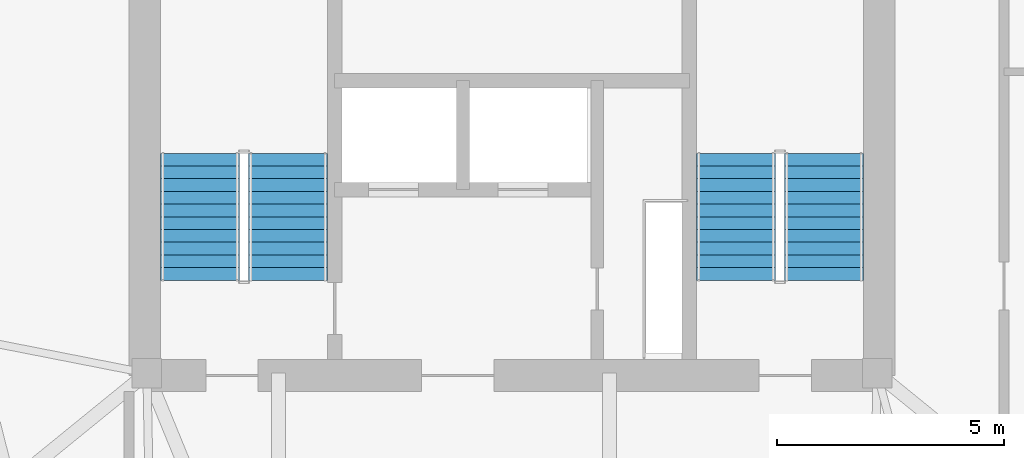
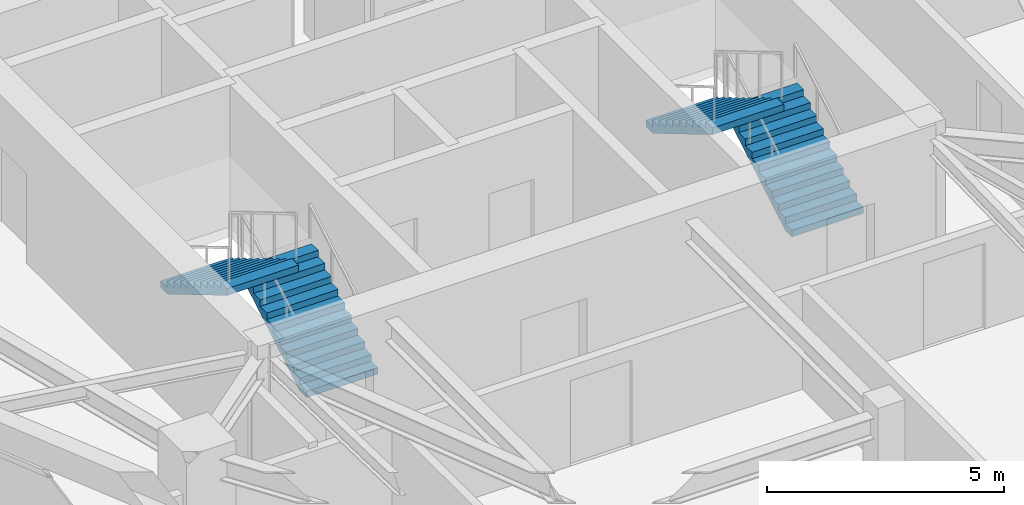
# One storey, part 10 of 11: 4 stair flights, 2 elements without a shape of their own.
"""IFC4 building model written with IfcOpenShell, lengths in metres."""

import ifcopenshell
import ifcopenshell.guid

model = None  # the IFC model being written
_history = None  # IfcOwnerHistory: only IFC2X3 demands one
_inside = {}  # id of a spatial element -> (the spatial element, [elements in it])
_under = {}  # id of a project, library or spatial element -> (it, [spatial elements below it])
_declared = {}  # id of a project -> (the project, [libraries it declares])
_typed = {}  # id of a type object -> (the type object, [elements of that type])
_made_of = {}  # id of a material, layer set ... -> (it, [elements and type objects made of it])


def new_model(schema):
    """Start an empty IFC model of exactly this schema.

    Asked for "IFC4X3", IfcOpenShell would pick the latest addendum, in which some entities
    have other attributes; the version numbers below select the first issue.
    IFC2X3 requires an IfcOwnerHistory on every rooted entity: one is made here for all.
    """
    global model, _history
    if schema == "IFC4X3":
        model = ifcopenshell.file(schema_version=(4, 3, 0, 0))
    else:
        model = ifcopenshell.file(schema=schema)
    _inside.clear()
    _under.clear()
    _declared.clear()
    _typed.clear()
    _made_of.clear()
    _history = None
    if model.schema == "IFC2X3":
        org = make("IfcOrganization", Name="unknown")
        user = make(
            "IfcPersonAndOrganization",
            ThePerson=make("IfcPerson", FamilyName="unknown"),
            TheOrganization=org,
        )
        app = make(
            "IfcApplication",
            ApplicationDeveloper=org,
            Version="unknown",
            ApplicationFullName="unknown",
            ApplicationIdentifier="unknown",
        )
        _history = make(
            "IfcOwnerHistory",
            OwningUser=user,
            OwningApplication=app,
            ChangeAction="ADDED",
            CreationDate=0,
        )
    return model


def make(cls, **values):
    """One entity of the class cls with the attributes given. An attribute that is None is left unset."""
    return model.create_entity(
        cls, **{name: value for name, value in values.items() if value is not None}
    )


def rooted(cls, **values):
    """An entity with a GlobalId (a new one), such as an element, a storey or a relation."""
    return make(cls, GlobalId=ifcopenshell.guid.new(), OwnerHistory=_history, **values)


def si_unit(unit_type, name, prefix=None):
    """IfcSIUnit, for example si_unit("LENGTHUNIT", "METRE", prefix="MILLI")."""
    return make("IfcSIUnit", UnitType=unit_type, Prefix=prefix, Name=name)


def assignment(units):
    """IfcUnitAssignment: the units of a project."""
    return None if units is None else make("IfcUnitAssignment", Units=units)


def point(xyz):
    """IfcCartesianPoint."""
    return None if xyz is None else make("IfcCartesianPoint", Coordinates=xyz)


def direction(xyz):
    """IfcDirection."""
    return None if xyz is None else make("IfcDirection", DirectionRatios=xyz)


def frame(location, z_axis=None, x_axis=None):
    """IfcAxis2Placement3D, a coordinate frame: its origin and axes. An axis left out is left unset."""
    return make(
        "IfcAxis2Placement3D",
        Location=point(location),
        Axis=direction(z_axis),
        RefDirection=direction(x_axis),
    )


def origin():
    """The frame at (0, 0, 0) with its axes left unset."""
    return frame((0.0, 0.0, 0.0))


def place(relative_to, where):
    """IfcLocalPlacement: puts the frame where relative to a parent placement (None: the world)."""
    return make(
        "IfcLocalPlacement", PlacementRelTo=relative_to, RelativePlacement=where
    )


def context(
    kind, dimensions, precision=None, world=None, true_north=None, identifier=None
):
    """IfcGeometricRepresentationContext, for example the 3D "Model" context."""
    return make(
        "IfcGeometricRepresentationContext",
        ContextIdentifier=identifier,
        ContextType=kind,
        CoordinateSpaceDimension=dimensions,
        Precision=precision,
        WorldCoordinateSystem=world,
        TrueNorth=true_north,
    )


def subcontext(parent, identifier, kind, view, scale=None):
    """IfcGeometricRepresentationSubContext, for example "Body" below "Model"."""
    return make(
        "IfcGeometricRepresentationSubContext",
        ContextIdentifier=identifier,
        ContextType=kind,
        ParentContext=parent,
        TargetScale=scale,
        TargetView=view,
    )


def project(units=None, contexts=None):
    """IfcProject with its units and contexts."""
    return rooted(
        "IfcProject",
        Name="project",
        RepresentationContexts=contexts,
        UnitsInContext=assignment(units),
    )


def spatial(cls, under=None, at=None, **own):
    """A site, building, storey or space (cls), placed at a placement, below another one or the project."""
    s = rooted(cls, ObjectPlacement=at, **own)
    if under is not None:
        _under.setdefault(under.id(), (under, []))[1].append(s)
    return s


def polyline(points):
    """IfcPolyline through the points."""
    return make("IfcPolyline", Points=[point(p) for p in points])


def outline(outer, holes=None, kind="AREA"):
    """IfcArbitraryClosedProfileDef: a profile drawn as a closed curve; with holes, ...WithVoids."""
    if holes is None:
        return make("IfcArbitraryClosedProfileDef", ProfileType=kind, OuterCurve=outer)
    return make(
        "IfcArbitraryProfileDefWithVoids",
        ProfileType=kind,
        OuterCurve=outer,
        InnerCurves=holes,
    )


def extrude(swept, where, along, depth):
    """IfcExtrudedAreaSolid: the profile swept, set in the frame where, extruded along a direction by depth."""
    return make(
        "IfcExtrudedAreaSolid",
        SweptArea=swept,
        Position=where,
        ExtrudedDirection=direction(along),
        Depth=depth,
    )


def shape(context_of_items, identifier, shape_type, items):
    """IfcShapeRepresentation: the items that make up one representation, for example the "Body"."""
    return make(
        "IfcShapeRepresentation",
        ContextOfItems=context_of_items,
        RepresentationIdentifier=identifier,
        RepresentationType=shape_type,
        Items=items,
    )


def material(Name=None, Category=None):
    """IfcMaterial."""
    return make("IfcMaterial", Name=Name, Category=Category)


def made_of(thing, what):
    """Note that an element or type object is made of a material, layer set ...; save() writes the relation."""
    if what is not None:
        _made_of.setdefault(what.id(), (what, []))[1].append(thing)
    return thing


def type_object(cls, material=None, **own):
    """A type object (cls), such as IfcWallType, which elements share."""
    return made_of(rooted(cls, **own), material)


def element(
    cls,
    number,
    at=None,
    inside=None,
    cuts=None,
    type_object=None,
    material=None,
    context=None,
    identifier="Body",
    shape_type=None,
    held_by="IfcProductDefinitionShape",
    body=None,
    shapes=None,
    **own,
):
    """One element of the class cls, such as IfcWall. Its Tag is "e" and its number.

    at: its placement. inside: the storey or other place that contains it. cuts: it is an
    opening in that element (IfcRelVoidsElement). A single representation is given by context,
    identifier, shape_type and body (its items); several are given by shapes. held_by: the class
    of the entity that holds the representations. save() writes the other relations.
    """
    e = rooted(cls, Tag="e%d" % number, ObjectPlacement=at, **own)
    if body is not None:
        shapes = [shape(context, identifier, shape_type, body)]
    if shapes is not None:
        e.Representation = make(held_by, Representations=shapes)
    if inside is not None:
        _inside.setdefault(inside.id(), (inside, []))[1].append(e)
    if cuts is not None:
        rooted(
            "IfcRelVoidsElement", RelatingBuildingElement=cuts, RelatedOpeningElement=e
        )
    if type_object is not None:
        _typed.setdefault(type_object.id(), (type_object, []))[1].append(e)
    return made_of(e, material)


def aggregate(whole, parts):
    """IfcRelAggregates: a whole, such as a stair, and the parts it consists of."""
    return rooted("IfcRelAggregates", RelatingObject=whole, RelatedObjects=parts)


def save(model, path):
    """Write the relations noted so far, then the file.

    IfcRelAggregates (storeys below a building ...), IfcRelContainedInSpatialStructure (elements
    in a storey), IfcRelDefinesByType, IfcRelAssociatesMaterial and IfcRelDeclares: one each for
    every whole, place, type object, material and project.
    """
    for whole, parts in _under.values():
        aggregate(whole, parts)
    for where, things in _inside.values():
        rooted(
            "IfcRelContainedInSpatialStructure",
            RelatedElements=things,
            RelatingStructure=where,
        )
    for kind, things in _typed.values():
        rooted("IfcRelDefinesByType", RelatedObjects=things, RelatingType=kind)
    for what, things in _made_of.values():
        rooted("IfcRelAssociatesMaterial", RelatedObjects=things, RelatingMaterial=what)
    for by, libraries in _declared.values():
        rooted("IfcRelDeclares", RelatingContext=by, RelatedDefinitions=libraries)
    model.write(path)


model = new_model("IFC4")

# Units and contexts
model_context = context("Model", 3, precision=1e-05, world=origin(), true_north=direction((0.0, 1.0)))
body_context = subcontext(model_context, "Body", "Model", "MODEL_VIEW")
ifc_project = project(units=[si_unit("LENGTHUNIT", "METRE"), si_unit("AREAUNIT", "SQUARE_METRE"), si_unit("VOLUMEUNIT", "CUBIC_METRE"), si_unit("PLANEANGLEUNIT", "RADIAN"), si_unit("MASSUNIT", "GRAM", prefix="KILO")], contexts=[model_context])

# Site, building, storey
site_placement = place(None, origin())
site = spatial("IfcSite", under=ifc_project, at=site_placement, CompositionType="ELEMENT")
building_placement = place(site_placement, origin())
building = spatial("IfcBuilding", under=site, at=building_placement, Name="Talyreon Biosciences Tower", CompositionType="ELEMENT")
storey_placement = place(building_placement, frame((0.0, 0.0, 271.75)))
storey = spatial("IfcBuildingStorey", under=building, at=storey_placement, Name="L72", CompositionType="ELEMENT", Elevation=271.75)

# Stair, stair flights
ifc_material = material(Name="Concrete C40/50", Category="concrete")
stair_type = type_object("IfcStairType", Name="DoglegEscapeStair_3650", PredefinedType="HALF_TURN_STAIR", material=ifc_material)
stair_1_placement = place(storey_placement, origin())
stair_1 = element("IfcStair", 1, at=stair_1_placement, inside=storey, type_object=stair_type, Name="L72 Core Escape Stair 1", PredefinedType="HALF_TURN_STAIR")
stair_flight_type = type_object("IfcStairFlightType", Name="PrecastStairFlight_3650", PredefinedType="STRAIGHT", material=ifc_material)
stair_flight_1_placement = place(storey_placement, frame((61.06005859375, 63.39990234375, 0.0), z_axis=(0.0, 0.0, 1.0), x_axis=(0.0, 1.0, 0.0)))
stair_flight_1 = element("IfcStairFlight", 2, at=stair_flight_1_placement, type_object=stair_flight_type, Name="ST-1 flight 1", NumberOfRisers=11, NumberOfTreads=10, PredefinedType="STRAIGHT", RiserHeight=0.165909091, TreadLength=0.28, context=body_context, shape_type="SweptSolid", body=[
    extrude(outline(polyline([(0.0, 0.0), (0.0, 0.166015625), (0.280029296875, 0.166015625), (0.280029296875, 0.331787109375), (0.56005859375, 0.331787109375), (0.56005859375, 0.497802734375), (0.840087890625, 0.497802734375), (0.840087890625, 0.66357421875), (1.1201171875, 0.66357421875), (1.1201171875, 0.82958984375), (1.39990234375, 0.82958984375), (1.39990234375, 0.995361328125), (1.679931640625, 0.995361328125), (1.679931640625, 1.161376953125), (1.9599609375, 1.161376953125), (1.9599609375, 1.327392578125), (2.239990234375, 1.327392578125), (2.239990234375, 1.4931640625), (2.52001953125, 1.4931640625), (2.52001953125, 1.6591796875), (2.800048828125, 1.6591796875), (2.800048828125, 1.824951171875), (2.800048828125, 1.48486328125), (0.2939453125, 0.0), (0.0, 0.0)])), frame((0.0, 0.8701171875, 0.0), z_axis=(0.0, -1.0, 0.0), x_axis=(1.0, 0.0, 0.0)), (0.0, 0.0, 1.0), 1.739990234375),
])
stair_flight_2_placement = place(storey_placement, frame((59.1201171875, 66.199951171875, 1.824951171875), z_axis=(0.0, 0.0, 1.0), x_axis=(0.0, -1.0, 0.0)))
stair_flight_2 = element("IfcStairFlight", 3, at=stair_flight_2_placement, type_object=stair_flight_type, Name="ST-1 flight 2", NumberOfRisers=11, NumberOfTreads=10, PredefinedType="STRAIGHT", RiserHeight=0.165909091, TreadLength=0.28, context=body_context, shape_type="SweptSolid", body=[
    extrude(outline(polyline([(0.0, 0.0), (0.0, 0.166015625), (0.280029296875, 0.166015625), (0.280029296875, 0.331787109375), (0.56005859375, 0.331787109375), (0.56005859375, 0.497802734375), (0.840087890625, 0.497802734375), (0.840087890625, 0.66357421875), (1.1201171875, 0.66357421875), (1.1201171875, 0.82958984375), (1.39990234375, 0.82958984375), (1.39990234375, 0.995361328125), (1.679931640625, 0.995361328125), (1.679931640625, 1.161376953125), (1.9599609375, 1.161376953125), (1.9599609375, 1.327392578125), (2.239990234375, 1.327392578125), (2.239990234375, 1.4931640625), (2.52001953125, 1.4931640625), (2.52001953125, 1.6591796875), (2.800048828125, 1.6591796875), (2.800048828125, 1.824951171875), (2.800048828125, 1.48486328125), (0.2939453125, 0.0), (0.0, 0.0)])), frame((0.0, 0.8701171875, 0.0), z_axis=(0.0, -1.0, 0.0), x_axis=(1.0, 0.0, 0.0)), (0.0, 0.0, 1.0), 1.739990234375),
])
aggregate(stair_1, [stair_flight_1, stair_flight_2])

stair_2_placement = place(storey_placement, origin())
stair_2 = element("IfcStair", 4, at=stair_2_placement, inside=storey, type_object=stair_type, Name="L72 Core Escape Stair 2", PredefinedType="HALF_TURN_STAIR")
stair_flight_3_placement = place(storey_placement, frame((72.8798828125, 63.39990234375, 0.0), z_axis=(0.0, 0.0, 1.0), x_axis=(0.0, 1.0, 0.0)))
stair_flight_3 = element("IfcStairFlight", 5, at=stair_flight_3_placement, type_object=stair_flight_type, Name="ST-2 flight 1", NumberOfRisers=11, NumberOfTreads=10, PredefinedType="STRAIGHT", RiserHeight=0.165909091, TreadLength=0.28, context=body_context, shape_type="SweptSolid", body=[
    extrude(outline(polyline([(0.0, 0.0), (0.0, 0.166015625), (0.280029296875, 0.166015625), (0.280029296875, 0.331787109375), (0.56005859375, 0.331787109375), (0.56005859375, 0.497802734375), (0.840087890625, 0.497802734375), (0.840087890625, 0.66357421875), (1.1201171875, 0.66357421875), (1.1201171875, 0.82958984375), (1.39990234375, 0.82958984375), (1.39990234375, 0.995361328125), (1.679931640625, 0.995361328125), (1.679931640625, 1.161376953125), (1.9599609375, 1.161376953125), (1.9599609375, 1.327392578125), (2.239990234375, 1.327392578125), (2.239990234375, 1.4931640625), (2.52001953125, 1.4931640625), (2.52001953125, 1.6591796875), (2.800048828125, 1.6591796875), (2.800048828125, 1.824951171875), (2.800048828125, 1.48486328125), (0.2939453125, 0.0), (0.0, 0.0)])), frame((0.0, 0.8701171875, 0.0), z_axis=(0.0, -1.0, 0.0), x_axis=(1.0, 0.0, 0.0)), (0.0, 0.0, 1.0), 1.739990234375),
])
stair_flight_4_placement = place(storey_placement, frame((70.93994140625, 66.199951171875, 1.824951171875), z_axis=(0.0, 0.0, 1.0), x_axis=(0.0, -1.0, 0.0)))
stair_flight_4 = element("IfcStairFlight", 6, at=stair_flight_4_placement, type_object=stair_flight_type, Name="ST-2 flight 2", NumberOfRisers=11, NumberOfTreads=10, PredefinedType="STRAIGHT", RiserHeight=0.165909091, TreadLength=0.28, context=body_context, shape_type="SweptSolid", body=[
    extrude(outline(polyline([(0.0, 0.0), (0.0, 0.166015625), (0.280029296875, 0.166015625), (0.280029296875, 0.331787109375), (0.56005859375, 0.331787109375), (0.56005859375, 0.497802734375), (0.840087890625, 0.497802734375), (0.840087890625, 0.66357421875), (1.1201171875, 0.66357421875), (1.1201171875, 0.82958984375), (1.39990234375, 0.82958984375), (1.39990234375, 0.995361328125), (1.679931640625, 0.995361328125), (1.679931640625, 1.161376953125), (1.9599609375, 1.161376953125), (1.9599609375, 1.327392578125), (2.239990234375, 1.327392578125), (2.239990234375, 1.4931640625), (2.52001953125, 1.4931640625), (2.52001953125, 1.6591796875), (2.800048828125, 1.6591796875), (2.800048828125, 1.824951171875), (2.800048828125, 1.48486328125), (0.2939453125, 0.0), (0.0, 0.0)])), frame((0.0, 0.8701171875, 0.0), z_axis=(0.0, -1.0, 0.0), x_axis=(1.0, 0.0, 0.0)), (0.0, 0.0, 1.0), 1.739990234375),
])
aggregate(stair_2, [stair_flight_3, stair_flight_4])

save(model, "model.ifc")
